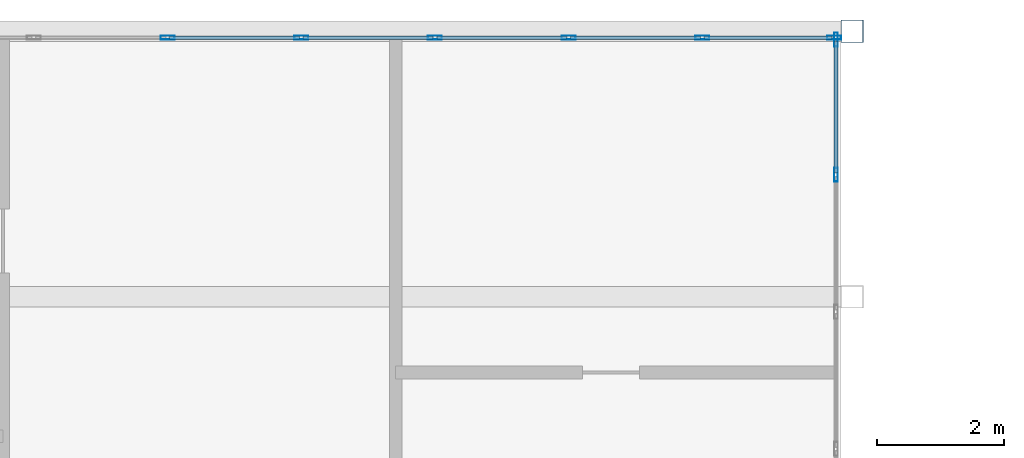
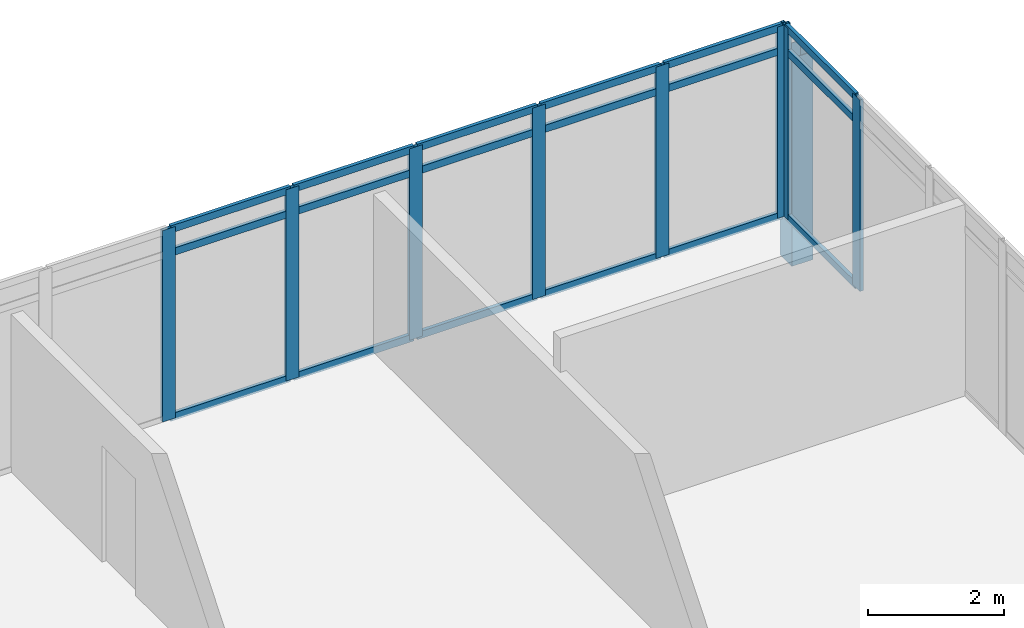
# One storey, part 23 of 37: 27 members, 2 elements without a shape of their own.
"""IFC4 building model written with IfcOpenShell, lengths in metres."""

from ifc_helpers import new_model, si_unit, direction, frame, origin, origin_2d, place, context, subcontext, project, spatial, hollow_rectangle, extrude, material, material_profile, profile_set, type_object, element, aggregate, save


model = new_model("IFC4")

# Units and contexts
model_context = context("Model", 3, precision=1e-05, world=origin(), true_north=direction((0.0, 1.0)))
body_context = subcontext(model_context, "Body", "Model", "MODEL_VIEW")
ifc_project = project(units=[si_unit("LENGTHUNIT", "METRE"), si_unit("AREAUNIT", "SQUARE_METRE"), si_unit("VOLUMEUNIT", "CUBIC_METRE"), si_unit("PLANEANGLEUNIT", "RADIAN"), si_unit("MASSUNIT", "GRAM", prefix="KILO")], contexts=[model_context])

# Site, building, storey
site_placement = place(None, origin())
site = spatial("IfcSite", under=ifc_project, at=site_placement, CompositionType="ELEMENT")
building_placement = place(site_placement, origin())
building = spatial("IfcBuilding", under=site, at=building_placement, Name="Ostrander Bayou Hotel Tower", CompositionType="ELEMENT")
storey_placement = place(building_placement, frame((0.0, 0.0, 225.75)))
storey = spatial("IfcBuildingStorey", under=building, at=storey_placement, Name="L56", CompositionType="ELEMENT", Elevation=225.75)

# Curtain wall, members
ifc_material_1 = material(Name="Aluminium and clear glass", Category="aluminium")
curtain_wall_type = type_object("IfcCurtainWallType", Name="CW-BAR glazed wall", PredefinedType="NOTDEFINED", material=ifc_material_1)
curtain_wall_1_placement = place(storey_placement, origin())
curtain_wall_1 = element("IfcCurtainWall", 1, at=curtain_wall_1_placement, inside=storey, type_object=curtain_wall_type, Name="CW-BAR L56:SB5N:T", PredefinedType="NOTDEFINED")
ifc_material_2 = material(Name="Aluminium", Category="aluminium")
ifc_material_profile_1 = material_profile(ifc_material_2, hollow_rectangle(XDim=0.06005859375, YDim=0.219970703125, WallThickness=0.00390625, at=origin_2d()))
ifc_profile_set_1 = profile_set([ifc_material_profile_1], Name="Aluminium")
member_type_1 = type_object("IfcMemberType", Name="CW-BR mullion 60 x 220 mm", PredefinedType="MULLION", material=ifc_profile_set_1)
member_1_placement = place(storey_placement, frame((0.0, 28.86669921875, 0.0), z_axis=(0.0, 0.0, 1.0), x_axis=(0.0, 1.0, 0.0)))
member_1 = element("IfcMember", 2, at=member_1_placement, type_object=member_type_1, Name="CW-BAR mullion 6", PredefinedType="MULLION", context=body_context, shape_type="SweptSolid", body=[
    extrude(hollow_rectangle(XDim=0.06005859375, YDim=0.219970703125, WallThickness=0.00390625, at=origin_2d()), origin(), (0.0, 0.0, 1.0), 3.449951171875),
])
member_2_placement = place(storey_placement, frame((2.1025390625, 28.86669921875, 0.0), z_axis=(0.0, 0.0, 1.0), x_axis=(0.0, 1.0, 0.0)))
member_2 = element("IfcMember", 3, at=member_2_placement, type_object=member_type_1, Name="CW-BAR mullion 7", PredefinedType="MULLION", context=body_context, shape_type="SweptSolid", body=[
    extrude(hollow_rectangle(XDim=0.06005859375, YDim=0.219970703125, WallThickness=0.00390625, at=origin_2d()), origin(), (0.0, 0.0, 1.0), 3.449951171875),
])
member_3_placement = place(storey_placement, frame((4.204833984375, 28.86669921875, 0.0), z_axis=(0.0, 0.0, 1.0), x_axis=(0.0, 1.0, 0.0)))
member_3 = element("IfcMember", 4, at=member_3_placement, type_object=member_type_1, Name="CW-BAR mullion 8", PredefinedType="MULLION", context=body_context, shape_type="SweptSolid", body=[
    extrude(hollow_rectangle(XDim=0.06005859375, YDim=0.219970703125, WallThickness=0.00390625, at=origin_2d()), origin(), (0.0, 0.0, 1.0), 3.449951171875),
])
member_4_placement = place(storey_placement, frame((6.307373046875, 28.86669921875, 0.0), z_axis=(0.0, 0.0, 1.0), x_axis=(0.0, 1.0, 0.0)))
member_4 = element("IfcMember", 5, at=member_4_placement, type_object=member_type_1, Name="CW-BAR mullion 9", PredefinedType="MULLION", context=body_context, shape_type="SweptSolid", body=[
    extrude(hollow_rectangle(XDim=0.06005859375, YDim=0.219970703125, WallThickness=0.00390625, at=origin_2d()), origin(), (0.0, 0.0, 1.0), 3.449951171875),
])
member_5_placement = place(storey_placement, frame((8.40966796875, 28.86669921875, 0.0), z_axis=(0.0, 0.0, 1.0), x_axis=(0.0, 1.0, 0.0)))
member_5 = element("IfcMember", 6, at=member_5_placement, type_object=member_type_1, Name="CW-BAR mullion 10", PredefinedType="MULLION", context=body_context, shape_type="SweptSolid", body=[
    extrude(hollow_rectangle(XDim=0.06005859375, YDim=0.219970703125, WallThickness=0.00390625, at=origin_2d()), origin(), (0.0, 0.0, 1.0), 3.449951171875),
])
member_6_placement = place(storey_placement, frame((10.482177734375, 28.86669921875, 0.0), z_axis=(0.0, 0.0, 1.0), x_axis=(0.0, 1.0, 0.0)))
member_6 = element("IfcMember", 7, at=member_6_placement, type_object=member_type_1, Name="CW-BAR mullion 11", PredefinedType="MULLION", context=body_context, shape_type="SweptSolid", body=[
    extrude(hollow_rectangle(XDim=0.06005859375, YDim=0.219970703125, WallThickness=0.00390625, at=origin_2d()), origin(), (0.0, 0.0, 1.0), 3.449951171875),
])

curtain_wall_2_placement = place(storey_placement, origin())
curtain_wall_2 = element("IfcCurtainWall", 8, at=curtain_wall_2_placement, inside=storey, type_object=curtain_wall_type, Name="CW-BAR L56:SB5N:W", PredefinedType="NOTDEFINED")
member_7_placement = place(storey_placement, frame((10.51220703125, 26.7109375, 0.0), z_axis=(0.0, 0.0, 1.0), x_axis=(-1.0, 0.0, 0.0)))
member_7 = element("IfcMember", 9, at=member_7_placement, type_object=member_type_1, Name="CW-BAR mullion 9", PredefinedType="MULLION", context=body_context, shape_type="SweptSolid", body=[
    extrude(hollow_rectangle(XDim=0.06005859375, YDim=0.219970703125, WallThickness=0.00390625, at=origin_2d()), origin(), (0.0, 0.0, 1.0), 3.449951171875),
])
member_8_placement = place(storey_placement, frame((10.51220703125, 28.836669921875, 0.0), z_axis=(0.0, 0.0, 1.0), x_axis=(-1.0, 0.0, 0.0)))
member_8 = element("IfcMember", 10, at=member_8_placement, type_object=member_type_1, Name="CW-BAR mullion 10", PredefinedType="MULLION", context=body_context, shape_type="SweptSolid", body=[
    extrude(hollow_rectangle(XDim=0.06005859375, YDim=0.219970703125, WallThickness=0.00390625, at=origin_2d()), origin(), (0.0, 0.0, 1.0), 3.449951171875),
])

# Member
ifc_material_3 = material(Name="Aluminium", Category="aluminium")
ifc_material_profile_2 = material_profile(ifc_material_3, hollow_rectangle(XDim=0.06005859375, YDim=0.1298828125, WallThickness=0.00390625, at=origin_2d()))
ifc_profile_set_2 = profile_set([ifc_material_profile_2], Name="Aluminium")
member_type_2 = type_object("IfcMemberType", Name="CW-BR transom 60 x 130 mm", PredefinedType="USERDEFINED", material=ifc_profile_set_2)
member_9_placement = place(storey_placement, frame((0.030029296875, 28.86669921875, 0.030029296875), z_axis=(1.0, 0.0, 0.0), x_axis=(0.0, 1.0, 0.0)))
member_9 = element("IfcMember", 11, at=member_9_placement, type_object=member_type_2, Name="CW-BAR transom 6.1", ObjectType="TRANSOM", PredefinedType="USERDEFINED", context=body_context, shape_type="SweptSolid", body=[
    extrude(hollow_rectangle(XDim=0.06005859375, YDim=0.1298828125, WallThickness=0.00390625, at=origin_2d()), origin(), (0.0, 0.0, 1.0), 2.04248046875),
])

member_10_placement = place(storey_placement, frame((0.030029296875, 28.86669921875, 3.0), z_axis=(1.0, 0.0, 0.0), x_axis=(0.0, 1.0, 0.0)))
member_10 = element("IfcMember", 12, at=member_10_placement, type_object=member_type_2, Name="CW-BAR transom 6.2", ObjectType="TRANSOM", PredefinedType="USERDEFINED", context=body_context, shape_type="SweptSolid", body=[
    extrude(hollow_rectangle(XDim=0.06005859375, YDim=0.1298828125, WallThickness=0.00390625, at=origin_2d()), origin(), (0.0, 0.0, 1.0), 2.04248046875),
])

member_11_placement = place(storey_placement, frame((0.030029296875, 28.86669921875, 3.419921875), z_axis=(1.0, 0.0, 0.0), x_axis=(0.0, 1.0, 0.0)))
member_11 = element("IfcMember", 13, at=member_11_placement, type_object=member_type_2, Name="CW-BAR transom 6.3", ObjectType="TRANSOM", PredefinedType="USERDEFINED", context=body_context, shape_type="SweptSolid", body=[
    extrude(hollow_rectangle(XDim=0.06005859375, YDim=0.1298828125, WallThickness=0.00390625, at=origin_2d()), origin(), (0.0, 0.0, 1.0), 2.04248046875),
])

member_12_placement = place(storey_placement, frame((2.13232421875, 28.86669921875, 0.030029296875), z_axis=(1.0, 0.0, 0.0), x_axis=(0.0, 1.0, 0.0)))
member_12 = element("IfcMember", 14, at=member_12_placement, type_object=member_type_2, Name="CW-BAR transom 7.1", ObjectType="TRANSOM", PredefinedType="USERDEFINED", context=body_context, shape_type="SweptSolid", body=[
    extrude(hollow_rectangle(XDim=0.06005859375, YDim=0.1298828125, WallThickness=0.00390625, at=origin_2d()), origin(), (0.0, 0.0, 1.0), 2.04248046875),
])

member_13_placement = place(storey_placement, frame((2.13232421875, 28.86669921875, 3.0), z_axis=(1.0, 0.0, 0.0), x_axis=(0.0, 1.0, 0.0)))
member_13 = element("IfcMember", 15, at=member_13_placement, type_object=member_type_2, Name="CW-BAR transom 7.2", ObjectType="TRANSOM", PredefinedType="USERDEFINED", context=body_context, shape_type="SweptSolid", body=[
    extrude(hollow_rectangle(XDim=0.06005859375, YDim=0.1298828125, WallThickness=0.00390625, at=origin_2d()), origin(), (0.0, 0.0, 1.0), 2.04248046875),
])

member_14_placement = place(storey_placement, frame((2.13232421875, 28.86669921875, 3.419921875), z_axis=(1.0, 0.0, 0.0), x_axis=(0.0, 1.0, 0.0)))
member_14 = element("IfcMember", 16, at=member_14_placement, type_object=member_type_2, Name="CW-BAR transom 7.3", ObjectType="TRANSOM", PredefinedType="USERDEFINED", context=body_context, shape_type="SweptSolid", body=[
    extrude(hollow_rectangle(XDim=0.06005859375, YDim=0.1298828125, WallThickness=0.00390625, at=origin_2d()), origin(), (0.0, 0.0, 1.0), 2.04248046875),
])

member_15_placement = place(storey_placement, frame((4.23486328125, 28.86669921875, 0.030029296875), z_axis=(1.0, 0.0, 0.0), x_axis=(0.0, 1.0, 0.0)))
member_15 = element("IfcMember", 17, at=member_15_placement, type_object=member_type_2, Name="CW-BAR transom 8.1", ObjectType="TRANSOM", PredefinedType="USERDEFINED", context=body_context, shape_type="SweptSolid", body=[
    extrude(hollow_rectangle(XDim=0.06005859375, YDim=0.1298828125, WallThickness=0.00390625, at=origin_2d()), origin(), (0.0, 0.0, 1.0), 2.04248046875),
])

member_16_placement = place(storey_placement, frame((4.23486328125, 28.86669921875, 3.0), z_axis=(1.0, 0.0, 0.0), x_axis=(0.0, 1.0, 0.0)))
member_16 = element("IfcMember", 18, at=member_16_placement, type_object=member_type_2, Name="CW-BAR transom 8.2", ObjectType="TRANSOM", PredefinedType="USERDEFINED", context=body_context, shape_type="SweptSolid", body=[
    extrude(hollow_rectangle(XDim=0.06005859375, YDim=0.1298828125, WallThickness=0.00390625, at=origin_2d()), origin(), (0.0, 0.0, 1.0), 2.04248046875),
])

member_17_placement = place(storey_placement, frame((4.23486328125, 28.86669921875, 3.419921875), z_axis=(1.0, 0.0, 0.0), x_axis=(0.0, 1.0, 0.0)))
member_17 = element("IfcMember", 19, at=member_17_placement, type_object=member_type_2, Name="CW-BAR transom 8.3", ObjectType="TRANSOM", PredefinedType="USERDEFINED", context=body_context, shape_type="SweptSolid", body=[
    extrude(hollow_rectangle(XDim=0.06005859375, YDim=0.1298828125, WallThickness=0.00390625, at=origin_2d()), origin(), (0.0, 0.0, 1.0), 2.04248046875),
])

member_18_placement = place(storey_placement, frame((6.33740234375, 28.86669921875, 0.030029296875), z_axis=(1.0, 0.0, 0.0), x_axis=(0.0, 1.0, 0.0)))
member_18 = element("IfcMember", 20, at=member_18_placement, type_object=member_type_2, Name="CW-BAR transom 9.1", ObjectType="TRANSOM", PredefinedType="USERDEFINED", context=body_context, shape_type="SweptSolid", body=[
    extrude(hollow_rectangle(XDim=0.06005859375, YDim=0.1298828125, WallThickness=0.00390625, at=origin_2d()), origin(), (0.0, 0.0, 1.0), 2.042236328125),
])

member_19_placement = place(storey_placement, frame((6.33740234375, 28.86669921875, 3.0), z_axis=(1.0, 0.0, 0.0), x_axis=(0.0, 1.0, 0.0)))
member_19 = element("IfcMember", 21, at=member_19_placement, type_object=member_type_2, Name="CW-BAR transom 9.2", ObjectType="TRANSOM", PredefinedType="USERDEFINED", context=body_context, shape_type="SweptSolid", body=[
    extrude(hollow_rectangle(XDim=0.06005859375, YDim=0.1298828125, WallThickness=0.00390625, at=origin_2d()), origin(), (0.0, 0.0, 1.0), 2.042236328125),
])

member_20_placement = place(storey_placement, frame((6.33740234375, 28.86669921875, 3.419921875), z_axis=(1.0, 0.0, 0.0), x_axis=(0.0, 1.0, 0.0)))
member_20 = element("IfcMember", 22, at=member_20_placement, type_object=member_type_2, Name="CW-BAR transom 9.3", ObjectType="TRANSOM", PredefinedType="USERDEFINED", context=body_context, shape_type="SweptSolid", body=[
    extrude(hollow_rectangle(XDim=0.06005859375, YDim=0.1298828125, WallThickness=0.00390625, at=origin_2d()), origin(), (0.0, 0.0, 1.0), 2.042236328125),
])

member_21_placement = place(storey_placement, frame((8.439697265625, 28.86669921875, 0.030029296875), z_axis=(1.0, 0.0, 0.0), x_axis=(0.0, 1.0, 0.0)))
member_21 = element("IfcMember", 23, at=member_21_placement, type_object=member_type_2, Name="CW-BAR transom 10.1", ObjectType="TRANSOM", PredefinedType="USERDEFINED", context=body_context, shape_type="SweptSolid", body=[
    extrude(hollow_rectangle(XDim=0.06005859375, YDim=0.1298828125, WallThickness=0.00390625, at=origin_2d()), origin(), (0.0, 0.0, 1.0), 2.012451171875),
])

member_22_placement = place(storey_placement, frame((8.439697265625, 28.86669921875, 3.0), z_axis=(1.0, 0.0, 0.0), x_axis=(0.0, 1.0, 0.0)))
member_22 = element("IfcMember", 24, at=member_22_placement, type_object=member_type_2, Name="CW-BAR transom 10.2", ObjectType="TRANSOM", PredefinedType="USERDEFINED", context=body_context, shape_type="SweptSolid", body=[
    extrude(hollow_rectangle(XDim=0.06005859375, YDim=0.1298828125, WallThickness=0.00390625, at=origin_2d()), origin(), (0.0, 0.0, 1.0), 2.012451171875),
])

member_23_placement = place(storey_placement, frame((8.439697265625, 28.86669921875, 3.419921875), z_axis=(1.0, 0.0, 0.0), x_axis=(0.0, 1.0, 0.0)))
member_23 = element("IfcMember", 25, at=member_23_placement, type_object=member_type_2, Name="CW-BAR transom 10.3", ObjectType="TRANSOM", PredefinedType="USERDEFINED", context=body_context, shape_type="SweptSolid", body=[
    extrude(hollow_rectangle(XDim=0.06005859375, YDim=0.1298828125, WallThickness=0.00390625, at=origin_2d()), origin(), (0.0, 0.0, 1.0), 2.012451171875),
])

aggregate(curtain_wall_1, [member_1, member_2, member_3, member_4, member_5, member_6, member_9, member_10, member_11, member_12, member_13, member_14, member_15, member_16, member_17, member_18, member_19, member_20, member_21, member_22, member_23])

member_24_placement = place(storey_placement, frame((10.51220703125, 26.740966796875, 0.030029296875), z_axis=(0.0, 1.0, 0.0), x_axis=(-1.0, 0.0, 0.0)))
member_24 = element("IfcMember", 26, at=member_24_placement, type_object=member_type_2, Name="CW-BAR transom 9.1", ObjectType="TRANSOM", PredefinedType="USERDEFINED", context=body_context, shape_type="SweptSolid", body=[
    extrude(hollow_rectangle(XDim=0.06005859375, YDim=0.1298828125, WallThickness=0.00390625, at=origin_2d()), origin(), (0.0, 0.0, 1.0), 2.065673828125),
])

member_25_placement = place(storey_placement, frame((10.51220703125, 26.740966796875, 3.0), z_axis=(0.0, 1.0, 0.0), x_axis=(-1.0, 0.0, 0.0)))
member_25 = element("IfcMember", 27, at=member_25_placement, type_object=member_type_2, Name="CW-BAR transom 9.2", ObjectType="TRANSOM", PredefinedType="USERDEFINED", context=body_context, shape_type="SweptSolid", body=[
    extrude(hollow_rectangle(XDim=0.06005859375, YDim=0.1298828125, WallThickness=0.00390625, at=origin_2d()), origin(), (0.0, 0.0, 1.0), 2.065673828125),
])

member_26_placement = place(storey_placement, frame((10.51220703125, 26.740966796875, 3.419921875), z_axis=(0.0, 1.0, 0.0), x_axis=(-1.0, 0.0, 0.0)))
member_26 = element("IfcMember", 28, at=member_26_placement, type_object=member_type_2, Name="CW-BAR transom 9.3", ObjectType="TRANSOM", PredefinedType="USERDEFINED", context=body_context, shape_type="SweptSolid", body=[
    extrude(hollow_rectangle(XDim=0.06005859375, YDim=0.1298828125, WallThickness=0.00390625, at=origin_2d()), origin(), (0.0, 0.0, 1.0), 2.065673828125),
])

aggregate(curtain_wall_2, [member_7, member_8, member_24, member_25, member_26])

ifc_material_4 = material(Name="Steel ASTM A500 Gr C", Category="steel")
ifc_material_profile_3 = material_profile(ifc_material_4, hollow_rectangle(XDim=0.355712890625, YDim=0.355712890625, WallThickness=0.01171875, at=origin_2d()))
ifc_profile_set_3 = profile_set([ifc_material_profile_3], Name="Steel ASTM A500 Gr C")
member_type_3 = type_object("IfcMemberType", Name="TH2 bar hanger HSS14x14x1/2", PredefinedType="POST", material=ifc_profile_set_3)
member_27_placement = place(storey_placement, frame((10.764892578125, 28.966552734375, -0.9111328125), z_axis=(0.0, 0.0, 1.0), x_axis=(1.0, 0.0, 0.0)))
element("IfcMember", 29, at=member_27_placement, inside=storey, type_object=member_type_3, Name="TH2 SB5WB H1-2", PredefinedType="POST", context=body_context, shape_type="SweptSolid", body=[
    extrude(hollow_rectangle(XDim=0.355712890625, YDim=0.355712890625, WallThickness=0.01171875, at=origin_2d()), origin(), (0.0, 0.0, 1.0), 3.75),
])

save(model, "model.ifc")
